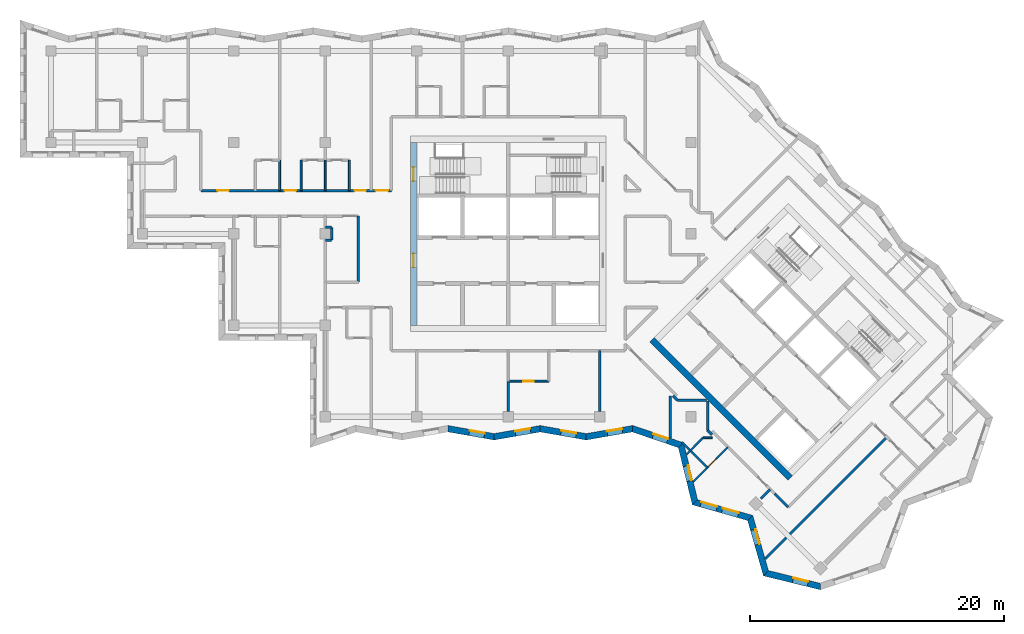
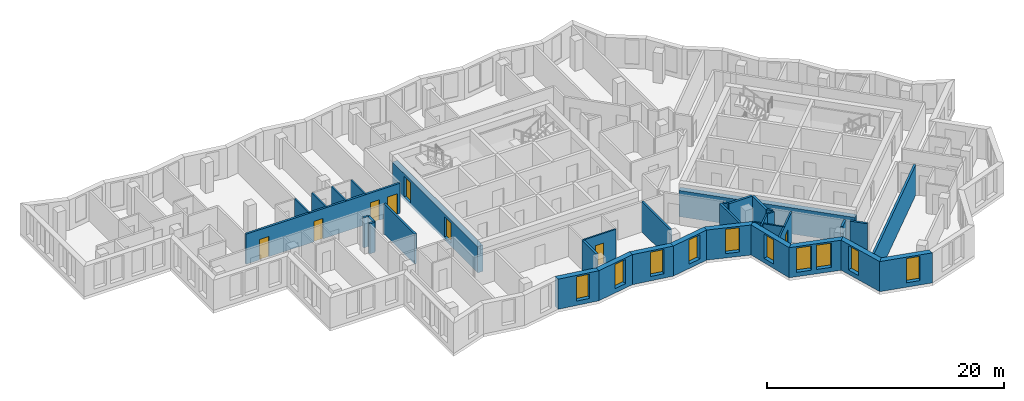
# One storey, part 3 of 12: 35 walls, 10 windows, 8 doors, 18 openings.
"""IFC4 building model written with IfcOpenShell, lengths in metres."""

from ifc_helpers import new_model, si_unit, direction, frame, frame_2d, origin, place, context, subcontext, project, spatial, polyline, rectangle, outline, extrude, material, layer, layer_set, type_object, element, fill, save


model = new_model("IFC4")

# Units and contexts
model_context = context("Model", 3, precision=1e-05, world=origin(), true_north=direction((0.0, 1.0)))
body_context = subcontext(model_context, "Body", "Model", "MODEL_VIEW")
ifc_project = project(units=[si_unit("LENGTHUNIT", "METRE"), si_unit("AREAUNIT", "SQUARE_METRE"), si_unit("VOLUMEUNIT", "CUBIC_METRE"), si_unit("PLANEANGLEUNIT", "RADIAN"), si_unit("MASSUNIT", "GRAM", prefix="KILO")], contexts=[model_context])

# Site, building, storey
site_placement = place(None, origin())
site = spatial("IfcSite", under=ifc_project, at=site_placement, CompositionType="ELEMENT")
building_placement = place(site_placement, origin())
building = spatial("IfcBuilding", under=site, at=building_placement, Name="Windrow Commons", CompositionType="ELEMENT")
storey_placement = place(building_placement, frame((0.0, 0.0, 227.0)))
storey = spatial("IfcBuildingStorey", under=building, at=storey_placement, Name="L62", CompositionType="ELEMENT", Elevation=227.0)

# Wall, opening, window
ifc_material_1 = material(Name="Brick masonry, red clay brick", Category="masonry")
ifc_layer_1 = layer(ifc_material_1, 0.5)
ifc_layer_set_1 = layer_set([ifc_layer_1], Name="Brick facade wall 500")
wall_type_1 = type_object("IfcWallType", Name="Brick facade wall 500", PredefinedType="SOLIDWALL", material=ifc_layer_set_1)
wall_1_placement = place(storey_placement, frame((60.0708, 42.2538, 0.0), z_axis=(0.0, 0.0, 1.0), x_axis=(0.9850833883, -0.1720776512, 0.0)))
wall_1 = element("IfcWall", 1, at=wall_1_placement, inside=storey, type_object=wall_type_1, Name="Brick facade wall L62 41", PredefinedType="SOLIDWALL", context=body_context, shape_type="SweptSolid", body=[
    extrude(outline(polyline([(0.0437, -0.25), (3.7222, -0.25), (3.6348, 0.25), (-0.0437, 0.25), (0.0437, -0.25)])), origin(), (0.0, 0.0, 1.0), 3.1),
])
opening_1_placement = place(wall_1_placement, frame((1.6905, 0.0, 0.45)))
opening_1 = element("IfcOpeningElement", 2, at=opening_1_placement, cuts=wall_1, Name="Opening W7E", PredefinedType="OPENING", context=body_context, shape_type="SweptSolid", body=[
    extrude(rectangle(XDim=1.2, YDim=2.5, at=frame_2d((0.6, 1.25))), frame((0.0, 0.26, 0.0), z_axis=(0.0, -1.0, 0.0), x_axis=(1.0, 0.0, 0.0)), (0.0, 0.0, 1.0), 0.52),
])
ifc_material_2 = material(Name="Clear float glass in anodised aluminium frame", Category="aluminium")
window_type_1 = type_object("IfcWindowType", Name="Window W7 notch 1200x2500", PartitioningType="SINGLE_PANEL", PredefinedType="WINDOW", material=ifc_material_2)
window_1_placement = place(opening_1_placement, origin())
window_1 = element("IfcWindow", 3, at=window_1_placement, inside=storey, type_object=window_type_1, Name="Window L62 41.1", OverallHeight=2.5, OverallWidth=1.2, PartitioningType="SINGLE_PANEL", PredefinedType="WINDOW", context=body_context, shape_type="SweptSolid", body=[
    extrude(rectangle(XDim=1.2, YDim=2.5, at=frame_2d((0.6, 1.25))), frame((0.0, 0.18, 0.0), z_axis=(0.0, -1.0, 0.0), x_axis=(1.0, 0.0, 0.0)), (0.0, 0.0, 1.0), 0.06),
])
fill(opening_1, window_1)

wall_2_placement = place(storey_placement, frame((63.6945, 41.6208, 0.0), z_axis=(0.0, 0.0, 1.0), x_axis=(0.9850825833, 0.1720822594, 0.0)))
wall_2 = element("IfcWall", 4, at=wall_2_placement, inside=storey, type_object=wall_type_1, Name="Brick facade wall L62 42", PredefinedType="SOLIDWALL", context=body_context, shape_type="SweptSolid", body=[
    extrude(outline(polyline([(-0.0437, -0.25), (3.6348, -0.25), (3.7222, 0.25), (0.0437, 0.25), (-0.0437, -0.25)])), origin(), (0.0, 0.0, 1.0), 3.1),
])
opening_2_placement = place(wall_2_placement, frame((1.7004, 0.0, 0.45)))
opening_2 = element("IfcOpeningElement", 5, at=opening_2_placement, cuts=wall_2, Name="Opening W7E", PredefinedType="OPENING", context=body_context, shape_type="SweptSolid", body=[
    extrude(rectangle(XDim=1.2, YDim=2.5, at=frame_2d((0.6, 1.25))), frame((0.0, 0.26, 0.0), z_axis=(0.0, -1.0, 0.0), x_axis=(1.0, 0.0, 0.0)), (0.0, 0.0, 1.0), 0.52),
])
window_2_placement = place(opening_2_placement, origin())
window_2 = element("IfcWindow", 6, at=window_2_placement, inside=storey, type_object=window_type_1, Name="Window L62 42.1", OverallHeight=2.5, OverallWidth=1.2, PartitioningType="SINGLE_PANEL", PredefinedType="WINDOW", context=body_context, shape_type="SweptSolid", body=[
    extrude(rectangle(XDim=1.2, YDim=2.5, at=frame_2d((0.6, 1.25))), frame((0.0, 0.18, 0.0), z_axis=(0.0, -1.0, 0.0), x_axis=(1.0, 0.0, 0.0)), (0.0, 0.0, 1.0), 0.06),
])
fill(opening_2, window_2)

wall_3_placement = place(storey_placement, frame((67.3181, 42.2538, 0.0), z_axis=(0.0, 0.0, 1.0), x_axis=(0.9850825833, -0.1720822594, 0.0)))
wall_3 = element("IfcWall", 7, at=wall_3_placement, inside=storey, type_object=wall_type_1, Name="Brick facade wall L62 43", PredefinedType="SOLIDWALL", context=body_context, shape_type="SweptSolid", body=[
    extrude(outline(polyline([(0.0437, -0.25), (3.7222, -0.25), (3.6348, 0.25), (-0.0437, 0.25), (0.0437, -0.25)])), origin(), (0.0, 0.0, 1.0), 3.1),
])
opening_3_placement = place(wall_3_placement, frame((1.6666, 0.0, 0.45)))
opening_3 = element("IfcOpeningElement", 8, at=opening_3_placement, cuts=wall_3, Name="Opening W7E", PredefinedType="OPENING", context=body_context, shape_type="SweptSolid", body=[
    extrude(rectangle(XDim=1.2, YDim=2.5, at=frame_2d((0.6, 1.25))), frame((0.0, 0.26, 0.0), z_axis=(0.0, -1.0, 0.0), x_axis=(1.0, 0.0, 0.0)), (0.0, 0.0, 1.0), 0.52),
])
window_3_placement = place(opening_3_placement, origin())
window_3 = element("IfcWindow", 9, at=window_3_placement, inside=storey, type_object=window_type_1, Name="Window L62 43.1", OverallHeight=2.5, OverallWidth=1.2, PartitioningType="SINGLE_PANEL", PredefinedType="WINDOW", context=body_context, shape_type="SweptSolid", body=[
    extrude(rectangle(XDim=1.2, YDim=2.5, at=frame_2d((0.6, 1.25))), frame((0.0, 0.18, 0.0), z_axis=(0.0, -1.0, 0.0), x_axis=(1.0, 0.0, 0.0)), (0.0, 0.0, 1.0), 0.06),
])
fill(opening_3, window_3)

wall_4_placement = place(storey_placement, frame((70.9417, 41.6208, 0.0), z_axis=(0.0, 0.0, 1.0), x_axis=(0.9850822975, 0.1720838957, 0.0)))
wall_4 = element("IfcWall", 10, at=wall_4_placement, inside=storey, type_object=wall_type_1, Name="Brick facade wall L62 44", PredefinedType="SOLIDWALL", context=body_context, shape_type="SweptSolid", body=[
    extrude(outline(polyline([(-0.0437, -0.25), (3.6348, -0.25), (3.7627, 0.25), (0.0437, 0.25), (-0.0437, -0.25)])), origin(), (0.0, 0.0, 1.0), 3.1),
])
opening_4_placement = place(wall_4_placement, frame((1.6866, 0.0, 0.45)))
opening_4 = element("IfcOpeningElement", 11, at=opening_4_placement, cuts=wall_4, Name="Opening W7E", PredefinedType="OPENING", context=body_context, shape_type="SweptSolid", body=[
    extrude(rectangle(XDim=1.2, YDim=2.5, at=frame_2d((0.6, 1.25))), frame((0.0, 0.26, 0.0), z_axis=(0.0, -1.0, 0.0), x_axis=(1.0, 0.0, 0.0)), (0.0, 0.0, 1.0), 0.52),
])
window_4_placement = place(opening_4_placement, origin())
window_4 = element("IfcWindow", 12, at=window_4_placement, inside=storey, type_object=window_type_1, Name="Window L62 44.1", OverallHeight=2.5, OverallWidth=1.2, PartitioningType="SINGLE_PANEL", PredefinedType="WINDOW", context=body_context, shape_type="SweptSolid", body=[
    extrude(rectangle(XDim=1.2, YDim=2.5, at=frame_2d((0.6, 1.25))), frame((0.0, 0.18, 0.0), z_axis=(0.0, -1.0, 0.0), x_axis=(1.0, 0.0, 0.0)), (0.0, 0.0, 1.0), 0.06),
])
fill(opening_4, window_4)

wall_5_placement = place(storey_placement, frame((74.5853, 42.2573, 0.0), z_axis=(0.0, 0.0, 1.0), x_axis=(0.9466888904, -0.3221492585, 0.0)))
wall_5 = element("IfcWall", 13, at=wall_5_placement, inside=storey, type_object=wall_type_1, Name="Brick facade wall L62 45", PredefinedType="SOLIDWALL", context=body_context, shape_type="SweptSolid", body=[
    extrude(outline(polyline([(0.064, -0.25), (3.8916, -0.25), (4.1656, 0.25), (-0.064, 0.25), (0.064, -0.25)])), origin(), (0.0, 0.0, 1.0), 3.1),
])
opening_5_placement = place(wall_5_placement, frame((1.7002, 0.0, 0.45)))
opening_5 = element("IfcOpeningElement", 14, at=opening_5_placement, cuts=wall_5, Name="Opening W7E", PredefinedType="OPENING", context=body_context, shape_type="SweptSolid", body=[
    extrude(rectangle(XDim=1.2, YDim=2.5, at=frame_2d((0.6, 1.25))), frame((0.0, 0.26, 0.0), z_axis=(0.0, -1.0, 0.0), x_axis=(1.0, 0.0, 0.0)), (0.0, 0.0, 1.0), 0.52),
])
window_5_placement = place(opening_5_placement, origin())
window_5 = element("IfcWindow", 15, at=window_5_placement, inside=storey, type_object=window_type_1, Name="Window L62 45.1", OverallHeight=2.5, OverallWidth=1.2, PartitioningType="SINGLE_PANEL", PredefinedType="WINDOW", context=body_context, shape_type="SweptSolid", body=[
    extrude(rectangle(XDim=1.2, YDim=2.5, at=frame_2d((0.6, 1.25))), frame((0.0, 0.18, 0.0), z_axis=(0.0, -1.0, 0.0), x_axis=(1.0, 0.0, 0.0)), (0.0, 0.0, 1.0), 0.06),
])
fill(opening_5, window_5)

wall_6_placement = place(storey_placement, frame((78.3991, 40.9595, 0.0), z_axis=(0.0, 0.0, 1.0), x_axis=(0.2379595757, -0.9712750591, 0.0)))
wall_6 = element("IfcWall", 16, at=wall_6_placement, inside=storey, type_object=wall_type_1, Name="Brick facade wall L62 46", PredefinedType="SOLIDWALL", context=body_context, shape_type="SweptSolid", body=[
    extrude(outline(polyline([(0.137, -0.25), (4.7653, -0.25), (4.4749, 0.25), (-0.137, 0.25), (0.137, -0.25)])), origin(), (0.0, 0.0, 1.0), 3.1),
])
opening_6_placement = place(wall_6_placement, frame((1.6873, 0.0, 0.45)))
opening_6 = element("IfcOpeningElement", 17, at=opening_6_placement, cuts=wall_6, Name="Opening W7E", PredefinedType="OPENING", context=body_context, shape_type="SweptSolid", body=[
    extrude(rectangle(XDim=1.2, YDim=2.5, at=frame_2d((0.6, 1.25))), frame((0.0, 0.26, 0.0), z_axis=(0.0, -1.0, 0.0), x_axis=(1.0, 0.0, 0.0)), (0.0, 0.0, 1.0), 0.52),
])
window_6_placement = place(opening_6_placement, origin())
window_6 = element("IfcWindow", 18, at=window_6_placement, inside=storey, type_object=window_type_1, Name="Window L62 46.1", OverallHeight=2.5, OverallWidth=1.2, PartitioningType="SINGLE_PANEL", PredefinedType="WINDOW", context=body_context, shape_type="SweptSolid", body=[
    extrude(rectangle(XDim=1.2, YDim=2.5, at=frame_2d((0.6, 1.25))), frame((0.0, 0.18, 0.0), z_axis=(0.0, -1.0, 0.0), x_axis=(1.0, 0.0, 0.0)), (0.0, 0.0, 1.0), 0.06),
])
fill(opening_6, window_6)

# Wall, openings, windows
wall_7_placement = place(storey_placement, frame((79.4985, 36.4721, 0.0), z_axis=(0.0, 0.0, 1.0), x_axis=(0.9615973563, -0.2744640675, 0.0)))
wall_7 = element("IfcWall", 19, at=wall_7_placement, inside=storey, type_object=wall_type_1, Name="Brick facade wall L62 47", PredefinedType="SOLIDWALL", context=body_context, shape_type="SweptSolid", body=[
    extrude(outline(polyline([(-0.1452, -0.25), (4.3826, -0.25), (4.6606, 0.25), (0.1452, 0.25), (-0.1452, -0.25)])), origin(), (0.0, 0.0, 1.0), 3.1),
])
opening_7_placement = place(wall_7_placement, frame((0.4893, 0.0, 0.45)))
opening_7 = element("IfcOpeningElement", 20, at=opening_7_placement, cuts=wall_7, Name="Opening W1Q", PredefinedType="OPENING", context=body_context, shape_type="SweptSolid", body=[
    extrude(rectangle(XDim=1.3, YDim=2.5, at=frame_2d((0.65, 1.25))), frame((0.0, 0.26, 0.0), z_axis=(0.0, -1.0, 0.0), x_axis=(1.0, 0.0, 0.0)), (0.0, 0.0, 1.0), 0.52),
])
opening_8_placement = place(wall_7_placement, frame((2.2393, 0.0, 0.45)))
opening_8 = element("IfcOpeningElement", 21, at=opening_8_placement, cuts=wall_7, Name="Opening W1Q", PredefinedType="OPENING", context=body_context, shape_type="SweptSolid", body=[
    extrude(rectangle(XDim=1.3, YDim=2.5, at=frame_2d((0.65, 1.25))), frame((0.0, 0.26, 0.0), z_axis=(0.0, -1.0, 0.0), x_axis=(1.0, 0.0, 0.0)), (0.0, 0.0, 1.0), 0.52),
])
ifc_material_3 = material(Name="Clear float glass in anodised aluminium frame", Category="aluminium")
window_type_2 = type_object("IfcWindowType", Name="Window W1Q pair 1300x2500", PartitioningType="SINGLE_PANEL", PredefinedType="WINDOW", material=ifc_material_3)
window_7_placement = place(opening_7_placement, origin())
window_7 = element("IfcWindow", 22, at=window_7_placement, inside=storey, type_object=window_type_2, Name="Window L62 47.1A", OverallHeight=2.5, OverallWidth=1.3, PartitioningType="SINGLE_PANEL", PredefinedType="WINDOW", context=body_context, shape_type="SweptSolid", body=[
    extrude(rectangle(XDim=1.3, YDim=2.5, at=frame_2d((0.65, 1.25))), frame((0.0, 0.18, 0.0), z_axis=(0.0, -1.0, 0.0), x_axis=(1.0, 0.0, 0.0)), (0.0, 0.0, 1.0), 0.06),
])
fill(opening_7, window_7)
window_8_placement = place(opening_8_placement, origin())
window_8 = element("IfcWindow", 23, at=window_8_placement, inside=storey, type_object=window_type_2, Name="Window L62 47.1B", OverallHeight=2.5, OverallWidth=1.3, PartitioningType="SINGLE_PANEL", PredefinedType="WINDOW", context=body_context, shape_type="SweptSolid", body=[
    extrude(rectangle(XDim=1.3, YDim=2.5, at=frame_2d((0.65, 1.25))), frame((0.0, 0.18, 0.0), z_axis=(0.0, -1.0, 0.0), x_axis=(1.0, 0.0, 0.0)), (0.0, 0.0, 1.0), 0.06),
])
fill(opening_8, window_8)

# Wall, opening, window
wall_8_placement = place(storey_placement, frame((83.8464, 35.2311, 0.0), z_axis=(0.0, 0.0, 1.0), x_axis=(0.2744640675, -0.9615973563, 0.0)))
wall_8 = element("IfcWall", 24, at=wall_8_placement, inside=storey, type_object=wall_type_1, Name="Brick facade wall L62 48", PredefinedType="SOLIDWALL", context=body_context, shape_type="SweptSolid", body=[
    extrude(outline(polyline([(0.139, -0.25), (4.6668, -0.25), (4.3764, 0.25), (-0.139, 0.25), (0.139, -0.25)])), origin(), (0.0, 0.0, 1.0), 3.1),
])
opening_9_placement = place(wall_8_placement, frame((0.9721, 0.0, 0.45)))
opening_9 = element("IfcOpeningElement", 25, at=opening_9_placement, cuts=wall_8, Name="Opening W7E", PredefinedType="OPENING", context=body_context, shape_type="SweptSolid", body=[
    extrude(rectangle(XDim=1.2, YDim=2.5, at=frame_2d((0.6, 1.25))), frame((0.0, 0.26, 0.0), z_axis=(0.0, -1.0, 0.0), x_axis=(1.0, 0.0, 0.0)), (0.0, 0.0, 1.0), 0.52),
])
window_9_placement = place(opening_9_placement, origin())
window_9 = element("IfcWindow", 26, at=window_9_placement, inside=storey, type_object=window_type_1, Name="Window L62 48.1", OverallHeight=2.5, OverallWidth=1.2, PartitioningType="SINGLE_PANEL", PredefinedType="WINDOW", context=body_context, shape_type="SweptSolid", body=[
    extrude(rectangle(XDim=1.2, YDim=2.5, at=frame_2d((0.6, 1.25))), frame((0.0, 0.18, 0.0), z_axis=(0.0, -1.0, 0.0), x_axis=(1.0, 0.0, 0.0)), (0.0, 0.0, 1.0), 0.06),
])
fill(opening_9, window_9)

wall_9_placement = place(storey_placement, frame((85.0874, 30.8832, 0.0), z_axis=(0.0, 0.0, 1.0), x_axis=(0.9712772119, -0.2379507881, 0.0)))
wall_9 = element("IfcWall", 27, at=wall_9_placement, inside=storey, type_object=wall_type_1, Name="Brick facade wall L62 49", PredefinedType="SOLIDWALL", context=body_context, shape_type="SweptSolid", body=[
    extrude(outline(polyline([(-0.1452, -0.25), (4.4831, -0.25), (4.3388, 0.25), (0.1452, 0.25), (-0.1452, -0.25)])), origin(), (0.0, 0.0, 1.0), 3.1),
])
opening_10_placement = place(wall_9_placement, frame((2.1951, 0.0, 0.45)))
opening_10 = element("IfcOpeningElement", 28, at=opening_10_placement, cuts=wall_9, Name="Opening W7E", PredefinedType="OPENING", context=body_context, shape_type="SweptSolid", body=[
    extrude(rectangle(XDim=1.2, YDim=2.5, at=frame_2d((0.6, 1.25))), frame((0.0, 0.26, 0.0), z_axis=(0.0, -1.0, 0.0), x_axis=(1.0, 0.0, 0.0)), (0.0, 0.0, 1.0), 0.52),
])
window_10_placement = place(opening_10_placement, origin())
window_10 = element("IfcWindow", 29, at=window_10_placement, inside=storey, type_object=window_type_1, Name="Window L62 49.1", OverallHeight=2.5, OverallWidth=1.2, PartitioningType="SINGLE_PANEL", PredefinedType="WINDOW", context=body_context, shape_type="SweptSolid", body=[
    extrude(rectangle(XDim=1.2, YDim=2.5, at=frame_2d((0.6, 1.25))), frame((0.0, 0.18, 0.0), z_axis=(0.0, -1.0, 0.0), x_axis=(1.0, 0.0, 0.0)), (0.0, 0.0, 1.0), 0.06),
])
fill(opening_10, window_10)

# Wall, openings, doors
ifc_material_4 = material(Name="Blockwork partition", Category="masonry")
ifc_layer_2 = layer(ifc_material_4, 0.2)
ifc_layer_set_2 = layer_set([ifc_layer_2], Name="IW-CORRIDOR-200")
wall_type_2 = type_object("IfcWallType", Name="IW-CORRIDOR-200", PredefinedType="PARTITIONING", material=ifc_layer_set_2)
wall_10_placement = place(storey_placement, frame((40.602, 61.0, 0.0), z_axis=(0.0, 0.0, 1.0), x_axis=(1.0, 0.0, 0.0)))
wall_10 = element("IfcWall", 30, at=wall_10_placement, inside=storey, type_object=wall_type_2, Name="W-L62-W003", PredefinedType="PARTITIONING", context=body_context, shape_type="SweptSolid", body=[
    extrude(rectangle(XDim=14.998, YDim=0.2, at=frame_2d((7.499, 0.0))), origin(), (0.0, 0.0, 1.0), 3.1),
])
opening_11_placement = place(wall_10_placement, frame((1.3056, 0.0, 0.0)))
opening_11 = element("IfcOpeningElement", 31, at=opening_11_placement, cuts=wall_10, Name="Opening D109F", PredefinedType="OPENING", context=body_context, shape_type="SweptSolid", body=[
    extrude(rectangle(XDim=0.9, YDim=2.1, at=frame_2d((0.45, 1.05))), frame((0.0, 0.11, 0.0), z_axis=(0.0, -1.0, 0.0), x_axis=(1.0, 0.0, 0.0)), (0.0, 0.0, 1.0), 0.22),
])
opening_12_placement = place(wall_10_placement, frame((6.598, 0.0, 0.0)))
opening_12 = element("IfcOpeningElement", 32, at=opening_12_placement, cuts=wall_10, Name="Opening D109S", PredefinedType="OPENING", context=body_context, shape_type="SweptSolid", body=[
    extrude(rectangle(XDim=0.9, YDim=2.1, at=frame_2d((0.45, 1.05))), frame((0.0, 0.11, 0.0), z_axis=(0.0, -1.0, 0.0), x_axis=(1.0, 0.0, 0.0)), (0.0, 0.0, 1.0), 0.22),
])
opening_13_placement = place(wall_10_placement, frame((12.098, 0.0, 0.0)))
opening_13 = element("IfcOpeningElement", 33, at=opening_13_placement, cuts=wall_10, Name="Opening D109S", PredefinedType="OPENING", context=body_context, shape_type="SweptSolid", body=[
    extrude(rectangle(XDim=0.9, YDim=2.1, at=frame_2d((0.45, 1.05))), frame((0.0, 0.11, 0.0), z_axis=(0.0, -1.0, 0.0), x_axis=(1.0, 0.0, 0.0)), (0.0, 0.0, 1.0), 0.22),
])
opening_14_placement = place(wall_10_placement, frame((13.7515, 0.0, 0.0)))
opening_14 = element("IfcOpeningElement", 34, at=opening_14_placement, cuts=wall_10, Name="Opening D310F", PredefinedType="OPENING", context=body_context, shape_type="SweptSolid", body=[
    extrude(rectangle(XDim=1.0, YDim=2.1, at=frame_2d((0.5, 1.05))), frame((0.0, 0.11, 0.0), z_axis=(0.0, -1.0, 0.0), x_axis=(1.0, 0.0, 0.0)), (0.0, 0.0, 1.0), 0.22),
])
ifc_material_5 = material(Name="Timber door leaf", Category="wood")
door_type_1 = type_object("IfcDoorType", Name="DT-AMENITY-1000", OperationType="SINGLE_SWING_LEFT", PredefinedType="DOOR", material=ifc_material_5)
door_1_placement = place(opening_14_placement, origin())
door_1 = element("IfcDoor", 35, at=door_1_placement, inside=storey, type_object=door_type_1, Name="D-L62-D025", OperationType="SINGLE_SWING_LEFT", OverallHeight=2.1, OverallWidth=1.0, PredefinedType="DOOR", context=body_context, shape_type="SweptSolid", body=[
    extrude(rectangle(XDim=1.0, YDim=2.1, at=frame_2d((0.5, 1.05))), frame((0.0, 0.025, 0.0), z_axis=(0.0, -1.0, 0.0), x_axis=(1.0, 0.0, 0.0)), (0.0, 0.0, 1.0), 0.05),
])
fill(opening_14, door_1)
ifc_material_6 = material(Name="Timber door leaf", Category="wood")
door_type_2 = type_object("IfcDoorType", Name="DT-BEDROOM-900", OperationType="SINGLE_SWING_LEFT", PredefinedType="DOOR", material=ifc_material_6)
door_2_placement = place(opening_11_placement, origin())
door_2 = element("IfcDoor", 36, at=door_2_placement, inside=storey, type_object=door_type_2, Name="D-L62-D019", OperationType="SINGLE_SWING_LEFT", OverallHeight=2.1, OverallWidth=0.9, PredefinedType="DOOR", context=body_context, shape_type="SweptSolid", body=[
    extrude(rectangle(XDim=0.9, YDim=2.1, at=frame_2d((0.45, 1.05))), frame((0.0, 0.025, 0.0), z_axis=(0.0, -1.0, 0.0), x_axis=(1.0, 0.0, 0.0)), (0.0, 0.0, 1.0), 0.05),
])
fill(opening_11, door_2)
door_3_placement = place(opening_12_placement, origin())
door_3 = element("IfcDoor", 37, at=door_3_placement, inside=storey, type_object=door_type_2, Name="D-L62-D021", OperationType="SINGLE_SWING_LEFT", OverallHeight=2.1, OverallWidth=0.9, PredefinedType="DOOR", context=body_context, shape_type="SweptSolid", body=[
    extrude(rectangle(XDim=0.9, YDim=2.1, at=frame_2d((0.45, 1.05))), frame((0.0, 0.025, 0.0), z_axis=(0.0, -1.0, 0.0), x_axis=(1.0, 0.0, 0.0)), (0.0, 0.0, 1.0), 0.05),
])
fill(opening_12, door_3)
door_4_placement = place(opening_13_placement, origin())
door_4 = element("IfcDoor", 38, at=door_4_placement, inside=storey, type_object=door_type_2, Name="D-L62-D023", OperationType="SINGLE_SWING_RIGHT", OverallHeight=2.1, OverallWidth=0.9, PredefinedType="DOOR", context=body_context, shape_type="SweptSolid", body=[
    extrude(rectangle(XDim=0.9, YDim=2.1, at=frame_2d((0.45, 1.05))), frame((0.0, 0.025, 0.0), z_axis=(0.0, -1.0, 0.0), x_axis=(1.0, 0.0, 0.0)), (0.0, 0.0, 1.0), 0.05),
])
fill(opening_13, door_4)

# Walls
wall_11_placement = place(storey_placement, frame((53.0, 53.802, 0.0), z_axis=(0.0, 0.0, 1.0), x_axis=(0.0, 1.0, 0.0)))
element("IfcWall", 39, at=wall_11_placement, inside=storey, type_object=wall_type_2, Name="W-L62-W028", PredefinedType="PARTITIONING", context=body_context, shape_type="SweptSolid", body=[
    extrude(rectangle(XDim=5.198, YDim=0.2, at=frame_2d((2.599, 0.0))), origin(), (0.0, 0.0, 1.0), 3.1),
])
for number, where, z_axis, x_axis, name in (
    (40, (78.132, 44.5, 0.0), (0.0, 0.0, 1.0), (1.0, 0.0, 0.0), "W-L62-W091"),
    (41, (80.5, 42.132, 0.0), (0.0, 0.0, 1.0), (0.0, 1.0, 0.0), "W-L62-W092"),
):
    element("IfcWall", number, at=place(storey_placement, frame(where, z_axis=z_axis, x_axis=x_axis)), inside=storey, type_object=wall_type_2, Name=name, PredefinedType="PARTITIONING", context=body_context, shape_type="SweptSolid", body=[
        extrude(rectangle(XDim=2.292, YDim=0.2, at=frame_2d((1.146, 0.0))), origin(), (0.0, 0.0, 1.0), 3.1),
    ])
wall_12_placement = place(storey_placement, frame((85.778, 37.142, 0.0), z_axis=(0.0, 0.0, 1.0), x_axis=(0.7064400143, -0.70777292, 0.0)))
element("IfcWall", 42, at=wall_12_placement, inside=storey, type_object=wall_type_2, Name="W-L62-W112", PredefinedType="PARTITIONING", context=body_context, shape_type="SweptSolid", body=[
    extrude(rectangle(XDim=1.5005, YDim=0.2, at=frame_2d((0.7502, 0.0))), origin(), (0.0, 0.0, 1.0), 3.1),
])
for number, where, z_axis, x_axis, name in (
    (43, (77.7792, 44.8472, 0.0), (0.0, 0.0, 1.0), (0.7071067812, -0.7071067812, 0.0), "W-L62-W147"),
    (44, (80.4972, 42.1292, 0.0), (0.0, 0.0, 1.0), (0.7071067812, -0.7071067812, 0.0), "W-L62-W148"),
):
    element("IfcWall", number, at=place(storey_placement, frame(where, z_axis=z_axis, x_axis=x_axis)), inside=storey, type_object=wall_type_2, Name=name, PredefinedType="PARTITIONING", context=body_context, shape_type="SweptSolid", body=[
        extrude(rectangle(XDim=0.495, YDim=0.2, at=frame_2d((0.2475, 0.0))), origin(), (0.0, 0.0, 1.0), 3.1),
    ])

# Wall, opening, door
ifc_material_7 = material(Name="Blockwork partition", Category="masonry")
ifc_layer_3 = layer(ifc_material_7, 0.15)
ifc_layer_set_3 = layer_set([ifc_layer_3], Name="IW-ENSUITE-150")
wall_type_3 = type_object("IfcWallType", Name="IW-ENSUITE-150", PredefinedType="PARTITIONING", material=ifc_layer_set_3)
wall_13_placement = place(storey_placement, frame((79.3617, 38.0809, 0.0), z_axis=(0.0, 0.0, 1.0), x_axis=(0.7071067812, 0.7071067812, 0.0)))
wall_13 = element("IfcWall", 45, at=wall_13_placement, inside=storey, type_object=wall_type_3, Name="W-L62-W038", PredefinedType="PARTITIONING", context=body_context, shape_type="SweptSolid", body=[
    extrude(rectangle(XDim=3.8689, YDim=0.15, at=frame_2d((1.9345, 0.0))), origin(), (0.0, 0.0, 1.0), 3.1),
])
opening_15_placement = place(wall_13_placement, frame((1.7284, 0.0, 0.0)))
opening_15 = element("IfcOpeningElement", 46, at=opening_15_placement, cuts=wall_13, Name="Opening D208N", PredefinedType="OPENING", context=body_context, shape_type="SweptSolid", body=[
    extrude(rectangle(XDim=0.8, YDim=2.1, at=frame_2d((0.4, 1.05))), frame((0.0, 0.085, 0.0), z_axis=(0.0, -1.0, 0.0), x_axis=(1.0, 0.0, 0.0)), (0.0, 0.0, 1.0), 0.17),
])
ifc_material_8 = material(Name="Timber door leaf", Category="wood")
door_type_3 = type_object("IfcDoorType", Name="DT-ENSUITE-800", OperationType="SINGLE_SWING_LEFT", PredefinedType="DOOR", material=ifc_material_8)
door_5_placement = place(opening_15_placement, origin())
door_5 = element("IfcDoor", 47, at=door_5_placement, inside=storey, type_object=door_type_3, Name="D-L62-D038", OperationType="SINGLE_SWING_RIGHT", OverallHeight=2.1, OverallWidth=0.8, PredefinedType="DOOR", context=body_context, shape_type="SweptSolid", body=[
    extrude(rectangle(XDim=0.8, YDim=2.1, at=frame_2d((0.4, 1.05))), frame((0.0, 0.025, 0.0), z_axis=(0.0, -1.0, 0.0), x_axis=(1.0, 0.0, 0.0)), (0.0, 0.0, 1.0), 0.05),
])
fill(opening_15, door_5)

wall_14_placement = place(storey_placement, frame((64.8, 46.0, 0.0), z_axis=(0.0, 0.0, 1.0), x_axis=(1.0, 0.0, 0.0)))
wall_14 = element("IfcWall", 48, at=wall_14_placement, inside=storey, type_object=wall_type_3, Name="W-L62-W047", PredefinedType="PARTITIONING", context=body_context, shape_type="SweptSolid", body=[
    extrude(rectangle(XDim=3.2, YDim=0.15, at=frame_2d((1.6, 0.0))), origin(), (0.0, 0.0, 1.0), 3.1),
])
opening_16_placement = place(wall_14_placement, frame((1.1958, 0.0, 0.0)))
opening_16 = element("IfcOpeningElement", 49, at=opening_16_placement, cuts=wall_14, Name="Opening D208N", PredefinedType="OPENING", context=body_context, shape_type="SweptSolid", body=[
    extrude(rectangle(XDim=0.8, YDim=2.1, at=frame_2d((0.4, 1.05))), frame((0.0, 0.085, 0.0), z_axis=(0.0, -1.0, 0.0), x_axis=(1.0, 0.0, 0.0)), (0.0, 0.0, 1.0), 0.17),
])
door_6_placement = place(opening_16_placement, origin())
door_6 = element("IfcDoor", 50, at=door_6_placement, inside=storey, type_object=door_type_3, Name="D-L62-D012", OperationType="SINGLE_SWING_RIGHT", OverallHeight=2.1, OverallWidth=0.8, PredefinedType="DOOR", context=body_context, shape_type="SweptSolid", body=[
    extrude(rectangle(XDim=0.8, YDim=2.1, at=frame_2d((0.4, 1.05))), frame((0.0, 0.025, 0.0), z_axis=(0.0, -1.0, 0.0), x_axis=(1.0, 0.0, 0.0)), (0.0, 0.0, 1.0), 0.05),
])
fill(opening_16, door_6)

# Walls
wall_15_placement = place(storey_placement, frame((78.4785, 41.1928, 0.0), z_axis=(0.0, 0.0, 1.0), x_axis=(0.7065934681, -0.7076197219, 0.0)))
element("IfcWall", 51, at=wall_15_placement, inside=storey, type_object=wall_type_3, Name="W-L62-W059", PredefinedType="PARTITIONING", context=body_context, shape_type="SweptSolid", body=[
    extrude(rectangle(XDim=2.8258, YDim=0.15, at=frame_2d((1.4129, 0.0))), origin(), (0.0, 0.0, 1.0), 3.1),
])
for number, where, z_axis, x_axis, name in (
    (52, (46.8, 61.0, 0.0), (0.0, 0.0, 1.0), (0.0, 1.0, 0.0), "W-L62-W071"),
    (53, (48.5, 61.0, 0.0), (0.0, 0.0, 1.0), (0.0, 1.0, 0.0), "W-L62-W072"),
    (54, (50.4, 61.0, 0.0), (0.0, 0.0, 1.0), (0.0, 1.0, 0.0), "W-L62-W073"),
    (55, (52.3, 61.0, 0.0), (0.0, 0.0, 1.0), (0.0, 1.0, 0.0), "W-L62-W074"),
):
    element("IfcWall", number, at=place(storey_placement, frame(where, z_axis=z_axis, x_axis=x_axis)), inside=storey, type_object=wall_type_3, Name=name, PredefinedType="PARTITIONING", context=body_context, shape_type="SweptSolid", body=[
        extrude(rectangle(XDim=2.4, YDim=0.15, at=frame_2d((1.2, 0.0))), origin(), (0.0, 0.0, 1.0), 3.1),
    ])
wall_16_placement = place(storey_placement, frame((78.833, 40.2391, 0.0), z_axis=(0.0, 0.0, 1.0), x_axis=(0.707079832, 0.7071337294, 0.0)))
element("IfcWall", 56, at=wall_16_placement, inside=storey, type_object=wall_type_3, Name="W-L62-W107", PredefinedType="PARTITIONING", context=body_context, shape_type="SweptSolid", body=[
    extrude(rectangle(XDim=1.8554, YDim=0.15, at=frame_2d((0.9277, 0.0))), origin(), (0.0, 0.0, 1.0), 3.1),
])
wall_17_placement = place(storey_placement, frame((80.146, 41.55, 0.0), z_axis=(0.0, 0.0, 1.0), x_axis=(1.0, 0.0, 0.0)))
element("IfcWall", 57, at=wall_17_placement, inside=storey, type_object=wall_type_3, Name="W-L62-W137", PredefinedType="PARTITIONING", context=body_context, shape_type="SweptSolid", body=[
    extrude(rectangle(XDim=0.702, YDim=0.15, at=frame_2d((0.351, 0.0))), origin(), (0.0, 0.0, 1.0), 3.1),
])
ifc_material_9 = material(Name="Blockwork partition", Category="masonry")
ifc_layer_4 = layer(ifc_material_9, 0.2)
ifc_layer_set_4 = layer_set([ifc_layer_4], Name="IW-PARTY-200")
wall_type_4 = type_object("IfcWallType", Name="IW-PARTY-200", PredefinedType="PARTITIONING", material=ifc_layer_set_4)
wall_18_placement = place(storey_placement, frame((85.0265, 32.0076, 0.0), z_axis=(0.0, 0.0, 1.0), x_axis=(0.7071030933, 0.707110469, 0.0)))
element("IfcWall", 58, at=wall_18_placement, inside=storey, type_object=wall_type_4, Name="W-L62-W005", PredefinedType="PARTITIONING", context=body_context, shape_type="SweptSolid", body=[
    extrude(rectangle(XDim=13.558, YDim=0.2, at=frame_2d((6.779, 0.0))), origin(), (0.0, 0.0, 1.0), 3.1),
])
wall_19_placement = place(storey_placement, frame((72.0, 43.6, 0.0), z_axis=(0.0, 0.0, 1.0), x_axis=(0.0, 1.0, 0.0)))
element("IfcWall", 59, at=wall_19_placement, inside=storey, type_object=wall_type_4, Name="W-L62-W034", PredefinedType="PARTITIONING", context=body_context, shape_type="SweptSolid", body=[
    extrude(rectangle(XDim=4.8, YDim=0.2, at=frame_2d((2.4, 0.0))), origin(), (0.0, 0.0, 1.0), 3.1),
])
wall_20_placement = place(storey_placement, frame((77.55, 41.5126, 0.0), z_axis=(0.0, 0.0, 1.0), x_axis=(0.0, 1.0, 0.0)))
element("IfcWall", 60, at=wall_20_placement, inside=storey, type_object=wall_type_4, Name="W-L62-W045", PredefinedType="PARTITIONING", context=body_context, shape_type="SweptSolid", body=[
    extrude(rectangle(XDim=3.3374, YDim=0.2, at=frame_2d((1.6687, 0.0))), origin(), (0.0, 0.0, 1.0), 3.1),
])
wall_21_placement = place(storey_placement, frame((64.8, 43.6, 0.0), z_axis=(0.0, 0.0, 1.0), x_axis=(0.0, 1.0, 0.0)))
element("IfcWall", 61, at=wall_21_placement, inside=storey, type_object=wall_type_4, Name="W-L62-W077", PredefinedType="PARTITIONING", context=body_context, shape_type="SweptSolid", body=[
    extrude(rectangle(XDim=2.4, YDim=0.2, at=frame_2d((1.2, 0.0))), origin(), (0.0, 0.0, 1.0), 3.1),
])
wall_22_placement = place(storey_placement, frame((84.6927, 36.7614, 0.0), z_axis=(0.0, 0.0, 1.0), x_axis=(0.7061388061, 0.708073433, 0.0)))
element("IfcWall", 62, at=wall_22_placement, inside=storey, type_object=wall_type_4, Name="W-L62-W120", PredefinedType="PARTITIONING", context=body_context, shape_type="SweptSolid", body=[
    extrude(rectangle(XDim=1.0338, YDim=0.2, at=frame_2d((0.5169, 0.0))), origin(), (0.0, 0.0, 1.0), 3.1),
])
wall_23_placement = place(storey_placement, frame((50.9, 57.096, 0.0), z_axis=(0.0, 0.0, 1.0), x_axis=(0.0, 1.0, 0.0)))
element("IfcWall", 63, at=wall_23_placement, inside=storey, type_object=wall_type_4, Name="W-L62-W121", PredefinedType="PARTITIONING", context=body_context, shape_type="SweptSolid", body=[
    extrude(rectangle(XDim=1.01, YDim=0.2, at=frame_2d((0.505, 0.0))), origin(), (0.0, 0.0, 1.0), 3.1),
])
for number, where, z_axis, x_axis, name in (
    (64, (50.4, 58.11, 0.0), (0.0, 0.0, 1.0), (1.0, 0.0, 0.0), "W-L62-W141"),
    (65, (50.4, 57.1, 0.0), (0.0, 0.0, 1.0), (1.0, 0.0, 0.0), "W-L62-W142"),
):
    element("IfcWall", number, at=place(storey_placement, frame(where, z_axis=z_axis, x_axis=x_axis)), inside=storey, type_object=wall_type_4, Name=name, PredefinedType="PARTITIONING", context=body_context, shape_type="SweptSolid", body=[
        extrude(rectangle(XDim=0.5, YDim=0.2, at=frame_2d((0.25, 0.0))), origin(), (0.0, 0.0, 1.0), 3.1),
    ])

# Wall, openings, doors
ifc_material_10 = material(Name="Concrete C40/50", Category="concrete")
ifc_layer_5 = layer(ifc_material_10, 0.5)
ifc_layer_set_5 = layer_set([ifc_layer_5], Name="RC CORE WALL 500 C40/50")
wall_type_5 = type_object("IfcWallType", Name="RC CORE WALL 500 C40/50", PredefinedType="SHEAR", material=ifc_layer_set_5)
wall_24_placement = place(storey_placement, frame((57.35, 50.4, -0.3), z_axis=(0.0, 0.0, 1.0), x_axis=(0.0, 1.0, 0.0)))
wall_24 = element("IfcWall", 66, at=wall_24_placement, inside=storey, type_object=wall_type_5, Name="Core A wall outer-W", PredefinedType="SHEAR", context=body_context, shape_type="SweptSolid", body=[
    extrude(rectangle(XDim=14.4, YDim=0.5, at=frame_2d((7.2, 0.0))), origin(), (0.0, 0.0, 1.0), 2.7),
])
opening_17_placement = place(wall_24_placement, frame((4.55, 0.0, 0.3)))
opening_17 = element("IfcOpeningElement", 67, at=opening_17_placement, cuts=wall_24, Name="Opening D6", PredefinedType="OPENING", context=body_context, shape_type="SweptSolid", body=[
    extrude(rectangle(XDim=1.1, YDim=2.1, at=frame_2d((0.55, 1.05))), frame((0.0, 0.26, 0.0), z_axis=(0.0, -1.0, 0.0), x_axis=(1.0, 0.0, 0.0)), (0.0, 0.0, 1.0), 0.52),
])
opening_18_placement = place(wall_24_placement, frame((11.35, 0.0, 0.3)))
opening_18 = element("IfcOpeningElement", 68, at=opening_18_placement, cuts=wall_24, Name="Opening D7", PredefinedType="OPENING", context=body_context, shape_type="SweptSolid", body=[
    extrude(rectangle(XDim=1.1, YDim=2.1, at=frame_2d((0.55, 1.05))), frame((0.0, 0.26, 0.0), z_axis=(0.0, -1.0, 0.0), x_axis=(1.0, 0.0, 0.0)), (0.0, 0.0, 1.0), 0.52),
])
ifc_material_11 = material(Name="Steel fire door leaf", Category="steel")
door_type_4 = type_object("IfcDoorType", Name="Core lobby door 1100", OperationType="SINGLE_SWING_LEFT", PredefinedType="DOOR", material=ifc_material_11)
door_7_placement = place(opening_17_placement, origin())
door_7 = element("IfcDoor", 69, at=door_7_placement, inside=storey, type_object=door_type_4, Name="Lift lobby door", OperationType="DOUBLE_DOOR_SINGLE_SWING", OverallHeight=2.1, OverallWidth=1.1, PredefinedType="DOOR", context=body_context, shape_type="SweptSolid", body=[
    extrude(rectangle(XDim=1.1, YDim=2.1, at=frame_2d((0.55, 1.05))), frame((0.0, 0.025, 0.0), z_axis=(0.0, -1.0, 0.0), x_axis=(1.0, 0.0, 0.0)), (0.0, 0.0, 1.0), 0.05),
])
fill(opening_17, door_7)
ifc_material_12 = material(Name="Steel fire door leaf", Category="steel")
door_type_5 = type_object("IfcDoorType", Name="Stair door 1100", OperationType="SINGLE_SWING_LEFT", PredefinedType="DOOR", material=ifc_material_12)
door_8_placement = place(opening_18_placement, origin())
door_8 = element("IfcDoor", 70, at=door_8_placement, inside=storey, type_object=door_type_5, Name="Stair door", OperationType="SINGLE_SWING_LEFT", OverallHeight=2.1, OverallWidth=1.1, PredefinedType="DOOR", context=body_context, shape_type="SweptSolid", body=[
    extrude(rectangle(XDim=1.1, YDim=2.1, at=frame_2d((0.55, 1.05))), frame((0.0, 0.025, 0.0), z_axis=(0.0, -1.0, 0.0), x_axis=(1.0, 0.0, 0.0)), (0.0, 0.0, 1.0), 0.05),
])
fill(opening_18, door_8)

# Wall
wall_25_placement = place(storey_placement, frame((76.1241, 49.2665, -0.3), z_axis=(0.0, 0.0, 1.0), x_axis=(0.7071067812, -0.7071067812, 0.0)))
element("IfcWall", 71, at=wall_25_placement, inside=storey, type_object=wall_type_5, Name="Core B wall outer-S", PredefinedType="SHEAR", context=body_context, shape_type="SweptSolid", body=[
    extrude(rectangle(XDim=15.3999, YDim=0.5, at=frame_2d((7.7, 0.0))), origin(), (0.0, 0.0, 1.0), 2.7),
])

save(model, "model.ifc")
